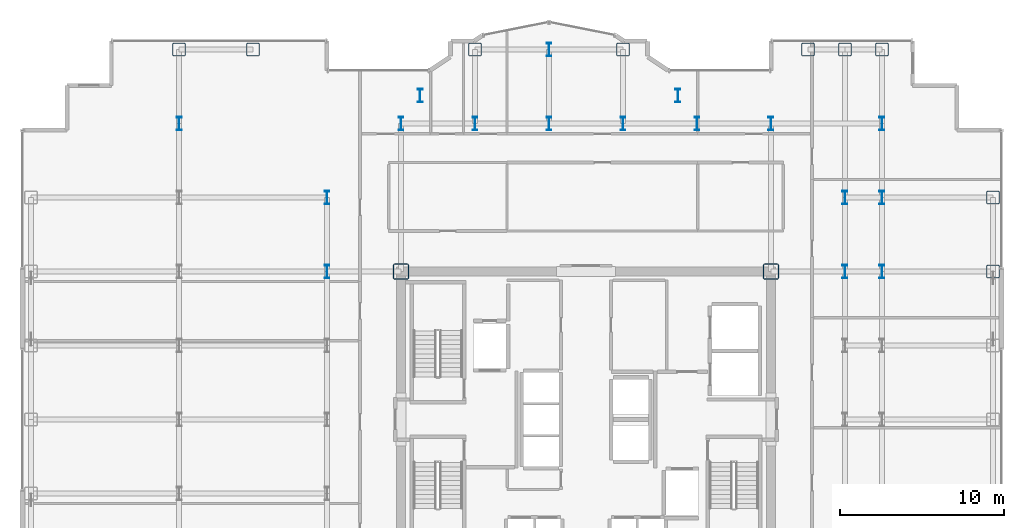
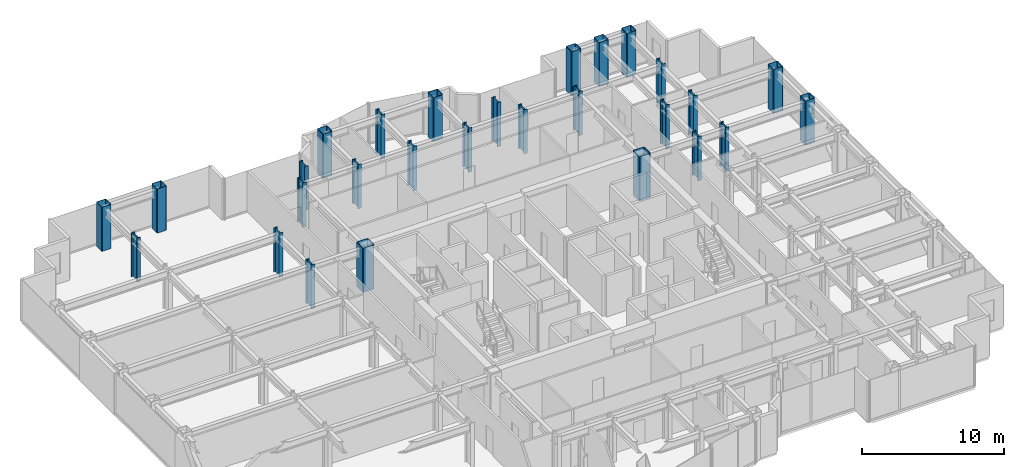
# One storey, part 2 of 26: 28 columns.
"""IFC4 building model written with IfcOpenShell, lengths in metres."""

import ifcopenshell
import ifcopenshell.guid

model = None  # the IFC model being written
_history = None  # IfcOwnerHistory: only IFC2X3 demands one
_inside = {}  # id of a spatial element -> (the spatial element, [elements in it])
_under = {}  # id of a project, library or spatial element -> (it, [spatial elements below it])
_declared = {}  # id of a project -> (the project, [libraries it declares])
_typed = {}  # id of a type object -> (the type object, [elements of that type])
_made_of = {}  # id of a material, layer set ... -> (it, [elements and type objects made of it])


def new_model(schema):
    """Start an empty IFC model of exactly this schema.

    Asked for "IFC4X3", IfcOpenShell would pick the latest addendum, in which some entities
    have other attributes; the version numbers below select the first issue.
    IFC2X3 requires an IfcOwnerHistory on every rooted entity: one is made here for all.
    """
    global model, _history
    if schema == "IFC4X3":
        model = ifcopenshell.file(schema_version=(4, 3, 0, 0))
    else:
        model = ifcopenshell.file(schema=schema)
    _inside.clear()
    _under.clear()
    _declared.clear()
    _typed.clear()
    _made_of.clear()
    _history = None
    if model.schema == "IFC2X3":
        org = make("IfcOrganization", Name="unknown")
        user = make(
            "IfcPersonAndOrganization",
            ThePerson=make("IfcPerson", FamilyName="unknown"),
            TheOrganization=org,
        )
        app = make(
            "IfcApplication",
            ApplicationDeveloper=org,
            Version="unknown",
            ApplicationFullName="unknown",
            ApplicationIdentifier="unknown",
        )
        _history = make(
            "IfcOwnerHistory",
            OwningUser=user,
            OwningApplication=app,
            ChangeAction="ADDED",
            CreationDate=0,
        )
    return model


def make(cls, **values):
    """One entity of the class cls with the attributes given. An attribute that is None is left unset."""
    return model.create_entity(
        cls, **{name: value for name, value in values.items() if value is not None}
    )


def rooted(cls, **values):
    """An entity with a GlobalId (a new one), such as an element, a storey or a relation."""
    return make(cls, GlobalId=ifcopenshell.guid.new(), OwnerHistory=_history, **values)


def si_unit(unit_type, name, prefix=None):
    """IfcSIUnit, for example si_unit("LENGTHUNIT", "METRE", prefix="MILLI")."""
    return make("IfcSIUnit", UnitType=unit_type, Prefix=prefix, Name=name)


def assignment(units):
    """IfcUnitAssignment: the units of a project."""
    return None if units is None else make("IfcUnitAssignment", Units=units)


def point(xyz):
    """IfcCartesianPoint."""
    return None if xyz is None else make("IfcCartesianPoint", Coordinates=xyz)


def direction(xyz):
    """IfcDirection."""
    return None if xyz is None else make("IfcDirection", DirectionRatios=xyz)


def frame(location, z_axis=None, x_axis=None):
    """IfcAxis2Placement3D, a coordinate frame: its origin and axes. An axis left out is left unset."""
    return make(
        "IfcAxis2Placement3D",
        Location=point(location),
        Axis=direction(z_axis),
        RefDirection=direction(x_axis),
    )


def frame_2d(location, x_axis=None):
    """IfcAxis2Placement2D, a coordinate frame in the plane: its origin and x axis."""
    return make(
        "IfcAxis2Placement2D", Location=point(location), RefDirection=direction(x_axis)
    )


def origin():
    """The frame at (0, 0, 0) with its axes left unset."""
    return frame((0.0, 0.0, 0.0))


def origin_2d():
    """The frame at (0, 0) in the plane with its x axis left unset."""
    return frame_2d((0.0, 0.0))


def place(relative_to, where):
    """IfcLocalPlacement: puts the frame where relative to a parent placement (None: the world)."""
    return make(
        "IfcLocalPlacement", PlacementRelTo=relative_to, RelativePlacement=where
    )


def context(
    kind, dimensions, precision=None, world=None, true_north=None, identifier=None
):
    """IfcGeometricRepresentationContext, for example the 3D "Model" context."""
    return make(
        "IfcGeometricRepresentationContext",
        ContextIdentifier=identifier,
        ContextType=kind,
        CoordinateSpaceDimension=dimensions,
        Precision=precision,
        WorldCoordinateSystem=world,
        TrueNorth=true_north,
    )


def subcontext(parent, identifier, kind, view, scale=None):
    """IfcGeometricRepresentationSubContext, for example "Body" below "Model"."""
    return make(
        "IfcGeometricRepresentationSubContext",
        ContextIdentifier=identifier,
        ContextType=kind,
        ParentContext=parent,
        TargetScale=scale,
        TargetView=view,
    )


def project(units=None, contexts=None):
    """IfcProject with its units and contexts."""
    return rooted(
        "IfcProject",
        Name="project",
        RepresentationContexts=contexts,
        UnitsInContext=assignment(units),
    )


def spatial(cls, under=None, at=None, **own):
    """A site, building, storey or space (cls), placed at a placement, below another one or the project."""
    s = rooted(cls, ObjectPlacement=at, **own)
    if under is not None:
        _under.setdefault(under.id(), (under, []))[1].append(s)
    return s


def profile(cls, at=None, kind="AREA", **sizes):
    """A parametric profile (cls). Its sizes go by their IFC names, for example OverallWidth=200.0."""
    return make(cls, ProfileType=kind, Position=at, **sizes)


def hollow_rectangle(**sizes):
    """IfcRectangleHollowProfileDef."""
    return profile("IfcRectangleHollowProfileDef", **sizes)


def i_section(**sizes):
    """IfcIShapeProfileDef."""
    return profile("IfcIShapeProfileDef", **sizes)


def extrude(swept, where, along, depth):
    """IfcExtrudedAreaSolid: the profile swept, set in the frame where, extruded along a direction by depth."""
    return make(
        "IfcExtrudedAreaSolid",
        SweptArea=swept,
        Position=where,
        ExtrudedDirection=direction(along),
        Depth=depth,
    )


def shape(context_of_items, identifier, shape_type, items):
    """IfcShapeRepresentation: the items that make up one representation, for example the "Body"."""
    return make(
        "IfcShapeRepresentation",
        ContextOfItems=context_of_items,
        RepresentationIdentifier=identifier,
        RepresentationType=shape_type,
        Items=items,
    )


def source(mapping_origin, context_of_items, identifier, shape_type, items):
    """IfcRepresentationMap: a shape defined once, which mapped items show again and again."""
    return make(
        "IfcRepresentationMap",
        MappingOrigin=mapping_origin,
        MappedRepresentation=shape(context_of_items, identifier, shape_type, items),
    )


def transform(
    local_origin,
    x_axis=None,
    y_axis=None,
    z_axis=None,
    scale=None,
    scale2=None,
    scale3=None,
    uniform=True,
):
    """IfcCartesianTransformationOperator3D, or its non-uniform kind. x_axis, y_axis, z_axis: its Axis1, 2, 3."""
    if uniform:
        return make(
            "IfcCartesianTransformationOperator3D",
            Axis1=direction(x_axis),
            Axis2=direction(y_axis),
            LocalOrigin=point(local_origin),
            Scale=scale,
            Axis3=direction(z_axis),
        )
    return make(
        "IfcCartesianTransformationOperator3DnonUniform",
        Axis1=direction(x_axis),
        Axis2=direction(y_axis),
        LocalOrigin=point(local_origin),
        Scale=scale,
        Axis3=direction(z_axis),
        Scale2=scale2,
        Scale3=scale3,
    )


def mapped(mapping_source, mapping_target):
    """IfcMappedItem: shows the shape of a source again, moved by a transform."""
    return make(
        "IfcMappedItem", MappingSource=mapping_source, MappingTarget=mapping_target
    )


def material(Name=None, Category=None):
    """IfcMaterial."""
    return make("IfcMaterial", Name=Name, Category=Category)


def material_profile(
    of_material, cross_section, Name=None, Category=None, Priority=None
):
    """IfcMaterialProfile: a cross section and its material."""
    return make(
        "IfcMaterialProfile",
        Name=Name,
        Material=of_material,
        Profile=cross_section,
        Priority=Priority,
        Category=Category,
    )


def profile_set(profiles, Name=None, composite=None):
    """IfcMaterialProfileSet."""
    return make(
        "IfcMaterialProfileSet",
        Name=Name,
        MaterialProfiles=profiles,
        CompositeProfile=composite,
    )


def made_of(thing, what):
    """Note that an element or type object is made of a material, layer set ...; save() writes the relation."""
    if what is not None:
        _made_of.setdefault(what.id(), (what, []))[1].append(thing)
    return thing


def type_object(cls, material=None, **own):
    """A type object (cls), such as IfcWallType, which elements share."""
    return made_of(rooted(cls, **own), material)


def element(
    cls,
    number,
    at=None,
    inside=None,
    cuts=None,
    type_object=None,
    material=None,
    context=None,
    identifier="Body",
    shape_type=None,
    held_by="IfcProductDefinitionShape",
    body=None,
    shapes=None,
    **own,
):
    """One element of the class cls, such as IfcWall. Its Tag is "e" and its number.

    at: its placement. inside: the storey or other place that contains it. cuts: it is an
    opening in that element (IfcRelVoidsElement). A single representation is given by context,
    identifier, shape_type and body (its items); several are given by shapes. held_by: the class
    of the entity that holds the representations. save() writes the other relations.
    """
    e = rooted(cls, Tag="e%d" % number, ObjectPlacement=at, **own)
    if body is not None:
        shapes = [shape(context, identifier, shape_type, body)]
    if shapes is not None:
        e.Representation = make(held_by, Representations=shapes)
    if inside is not None:
        _inside.setdefault(inside.id(), (inside, []))[1].append(e)
    if cuts is not None:
        rooted(
            "IfcRelVoidsElement", RelatingBuildingElement=cuts, RelatedOpeningElement=e
        )
    if type_object is not None:
        _typed.setdefault(type_object.id(), (type_object, []))[1].append(e)
    return made_of(e, material)


def aggregate(whole, parts):
    """IfcRelAggregates: a whole, such as a stair, and the parts it consists of."""
    return rooted("IfcRelAggregates", RelatingObject=whole, RelatedObjects=parts)


def save(model, path):
    """Write the relations noted so far, then the file.

    IfcRelAggregates (storeys below a building ...), IfcRelContainedInSpatialStructure (elements
    in a storey), IfcRelDefinesByType, IfcRelAssociatesMaterial and IfcRelDeclares: one each for
    every whole, place, type object, material and project.
    """
    for whole, parts in _under.values():
        aggregate(whole, parts)
    for where, things in _inside.values():
        rooted(
            "IfcRelContainedInSpatialStructure",
            RelatedElements=things,
            RelatingStructure=where,
        )
    for kind, things in _typed.values():
        rooted("IfcRelDefinesByType", RelatedObjects=things, RelatingType=kind)
    for what, things in _made_of.values():
        rooted("IfcRelAssociatesMaterial", RelatedObjects=things, RelatingMaterial=what)
    for by, libraries in _declared.values():
        rooted("IfcRelDeclares", RelatingContext=by, RelatedDefinitions=libraries)
    model.write(path)


model = new_model("IFC4")

# Units and contexts
model_context = context("Model", 3, precision=1e-05, world=origin(), true_north=direction((0.0, 1.0)))
body_context = subcontext(model_context, "Body", "Model", "MODEL_VIEW")
ifc_project = project(units=[si_unit("LENGTHUNIT", "METRE"), si_unit("AREAUNIT", "SQUARE_METRE"), si_unit("VOLUMEUNIT", "CUBIC_METRE"), si_unit("PLANEANGLEUNIT", "RADIAN"), si_unit("MASSUNIT", "GRAM", prefix="KILO")], contexts=[model_context])

# Site, building, storey
site_placement = place(None, origin())
site = spatial("IfcSite", under=ifc_project, at=site_placement, CompositionType="ELEMENT")
building_placement = place(site_placement, origin())
building = spatial("IfcBuilding", under=site, at=building_placement, Name="Nefas-Gora Pilgrimage Tower", CompositionType="ELEMENT")
storey_placement = place(building_placement, frame((0.0, 0.0, 160.199951171875)))
storey = spatial("IfcBuildingStorey", under=building, at=storey_placement, Name="L39", CompositionType="ELEMENT", Elevation=160.199951171875)

# Columns
ifc_material = material(Name="Steel S460", Category="steel")
ifc_material_profile_1 = material_profile(ifc_material, hollow_rectangle(XDim=0.949951171875, YDim=0.949951171875, WallThickness=0.044921875, InnerFilletRadius=0.044921875, OuterFilletRadius=0.090087890625, at=origin_2d()), Name="BOX 950x950x45")
ifc_profile_set_1 = profile_set([ifc_material_profile_1], Name="Steel S460")
column_type_1 = type_object("IfcColumnType", Name="COL-CORE-950", PredefinedType="COLUMN", material=ifc_profile_set_1)
shared_shape_1 = source(origin(), body_context, "Body", "SweptSolid", [
    extrude(hollow_rectangle(XDim=0.949951171875, YDim=0.949951171875, WallThickness=0.044921875, InnerFilletRadius=0.044921875, OuterFilletRadius=0.090087890625, at=origin_2d()), origin(), (0.0, 0.0, 1.0), 3.800048828125),
])
for number, where, z_axis, x_axis, name in (
    (1, (-11.25, 9.0, 0.0), (0.0, 0.0, 1.0), (1.0, 0.0, 0.0), "L39 Tower Column CC-Z1.30"),
    (2, (11.25, 9.0, 0.0), (0.0, 0.0, 1.0), (1.0, 0.0, 0.0), "L39 Tower Column CC-Z1.52"),
):
    element("IfcColumn", number, at=place(storey_placement, frame(where, z_axis=z_axis, x_axis=x_axis)), inside=storey, type_object=column_type_1, Name=name, PredefinedType="COLUMN", context=body_context, shape_type="MappedRepresentation", body=[
        mapped(shared_shape_1, transform((0.0, 0.0, 0.0), x_axis=(1.0, 0.0, 0.0), y_axis=(0.0, 1.0, 0.0), z_axis=(0.0, 0.0, 1.0), scale=1.0)),
    ])
ifc_material_profile_2 = material_profile(ifc_material, hollow_rectangle(XDim=0.800048828125, YDim=0.800048828125, WallThickness=0.0400390625, InnerFilletRadius=0.0400390625, OuterFilletRadius=0.080078125, at=origin_2d()), Name="BOX 800x800x40")
ifc_profile_set_2 = profile_set([ifc_material_profile_2], Name="Steel S460")
column_type_2 = type_object("IfcColumnType", Name="COL-TUBE-800", PredefinedType="COLUMN", material=ifc_profile_set_2)
shared_shape_2 = source(origin(), body_context, "Body", "SweptSolid", [
    extrude(hollow_rectangle(XDim=0.800048828125, YDim=0.800048828125, WallThickness=0.0400390625, InnerFilletRadius=0.0400390625, OuterFilletRadius=0.080078125, at=origin_2d()), origin(), (0.0, 0.0, 1.0), 3.800048828125),
])
for number, where, z_axis, x_axis, name in (
    (3, (-24.75, 22.5, 0.0), (0.0, 0.0, 1.0), (1.0, 0.0, 0.0), "L39 Tower Column C-Z2.18"),
    (4, (-20.25, 22.5, 0.0), (0.0, 0.0, 1.0), (1.0, 0.0, 0.0), "L39 Tower Column C-Z2.20"),
    (5, (-6.75, 22.5, 0.0), (0.0, 0.0, 1.0), (1.0, 0.0, 0.0), "L39 Tower Column C-Z2.37"),
    (6, (2.25, 22.5, 0.0), (0.0, 0.0, 1.0), (1.0, 0.0, 0.0), "L39 Tower Column C-Z2.45"),
    (7, (13.5, 22.5, 0.0), (0.0, 0.0, 1.0), (1.0, 0.0, 0.0), "L39 Tower Column C-Z2.55"),
    (8, (15.75, 22.5, 0.0), (0.0, 0.0, 1.0), (1.0, 0.0, 0.0), "L39 Tower Column C-Z2.64"),
    (9, (18.0, 22.5, 0.0), (0.0, 0.0, 1.0), (1.0, 0.0, 0.0), "L39 Tower Column C-Z2.75"),
    (10, (24.75, 9.0, 0.0), (0.0, 0.0, 1.0), (1.0, 0.0, 0.0), "L39 Tower Column C-Z2.81"),
    (11, (24.75, 13.5, 0.0), (0.0, 0.0, 1.0), (1.0, 0.0, 0.0), "L39 Tower Column C-Z2.82"),
):
    element("IfcColumn", number, at=place(storey_placement, frame(where, z_axis=z_axis, x_axis=x_axis)), inside=storey, type_object=column_type_2, Name=name, PredefinedType="COLUMN", context=body_context, shape_type="MappedRepresentation", body=[
        mapped(shared_shape_2, transform((0.0, 0.0, 0.0), x_axis=(1.0, 0.0, 0.0), y_axis=(0.0, 1.0, 0.0), z_axis=(0.0, 0.0, 1.0), scale=1.0)),
    ])
ifc_material_profile_3 = material_profile(ifc_material, i_section(OverallWidth=0.302978515625, OverallDepth=0.81396484375, WebThickness=0.02099609375, FlangeThickness=0.0400390625, FilletRadius=0.030029296875, at=origin_2d()), Name="HEM 800")
ifc_profile_set_3 = profile_set([ifc_material_profile_3], Name="Steel S460")
column_type_3 = type_object("IfcColumnType", Name="COL-WEB-HEM800", PredefinedType="COLUMN", material=ifc_profile_set_3)
shared_shape_3 = source(origin(), body_context, "Body", "SweptSolid", [
    extrude(i_section(OverallWidth=0.302978515625, OverallDepth=0.81396484375, WebThickness=0.02099609375, FlangeThickness=0.0400390625, FilletRadius=0.030029296875, at=origin_2d()), origin(), (0.0, 0.0, 1.0), 3.800048828125),
])
for number, where, z_axis, x_axis, name in (
    (12, (-24.75, 18.0, 0.0), (0.0, 0.0, 1.0), (1.0, 0.0, 0.0), "L39 Tower Column CW-02.17"),
    (13, (-15.75, 9.0, 0.0), (0.0, 0.0, 1.0), (1.0, 0.0, 0.0), "L39 Tower Column CW-02.26"),
    (14, (-15.75, 13.5, 0.0), (0.0, 0.0, 1.0), (1.0, 0.0, 0.0), "L39 Tower Column CW-02.27"),
    (15, (-11.25, 18.0, 0.0), (0.0, 0.0, 1.0), (1.0, 0.0, 0.0), "L39 Tower Column CW-02.31"),
    (16, (-10.091064453125, 19.696044921875, 0.0), (0.0, 0.0, 1.0), (1.0, 0.0, 0.0), "L39 Tower Column CW-02.33"),
    (17, (-6.75, 18.0, 0.0), (0.0, 0.0, 1.0), (1.0, 0.0, 0.0), "L39 Tower Column CW-02.36"),
    (18, (-2.25, 18.0, 0.0), (0.0, 0.0, 1.0), (1.0, 0.0, 0.0), "L39 Tower Column CW-02.40"),
    (19, (-2.25, 22.5, 0.0), (0.0, 0.0, 1.0), (1.0, 0.0, 0.0), "L39 Tower Column CW-02.41"),
    (20, (2.25, 18.0, 0.0), (0.0, 0.0, 1.0), (1.0, 0.0, 0.0), "L39 Tower Column CW-02.44"),
    (21, (5.591064453125, 19.696044921875, 0.0), (0.0, 0.0, 1.0), (1.0, 0.0, 0.0), "L39 Tower Column CW-02.47"),
    (22, (6.75, 18.0, 0.0), (0.0, 0.0, 1.0), (1.0, 0.0, 0.0), "L39 Tower Column CW-02.49"),
    (23, (11.25, 18.0, 0.0), (0.0, 0.0, 1.0), (1.0, 0.0, 0.0), "L39 Tower Column CW-02.53"),
    (24, (15.75, 9.0, 0.0), (0.0, 0.0, 1.0), (1.0, 0.0, 0.0), "L39 Tower Column CW-02.62"),
    (25, (15.75, 13.5, 0.0), (0.0, 0.0, 1.0), (1.0, 0.0, 0.0), "L39 Tower Column CW-02.63"),
    (26, (18.0, 9.0, 0.0), (0.0, 0.0, 1.0), (1.0, 0.0, 0.0), "L39 Tower Column CW-02.72"),
    (27, (18.0, 13.5, 0.0), (0.0, 0.0, 1.0), (1.0, 0.0, 0.0), "L39 Tower Column CW-02.73"),
    (28, (18.0, 18.0, 0.0), (0.0, 0.0, 1.0), (1.0, 0.0, 0.0), "L39 Tower Column CW-02.74"),
):
    element("IfcColumn", number, at=place(storey_placement, frame(where, z_axis=z_axis, x_axis=x_axis)), inside=storey, type_object=column_type_3, Name=name, PredefinedType="COLUMN", context=body_context, shape_type="MappedRepresentation", body=[
        mapped(shared_shape_3, transform((0.0, 0.0, 0.0), x_axis=(1.0, 0.0, 0.0), y_axis=(0.0, 1.0, 0.0), z_axis=(0.0, 0.0, 1.0), scale=1.0)),
    ])

save(model, "model.ifc")
